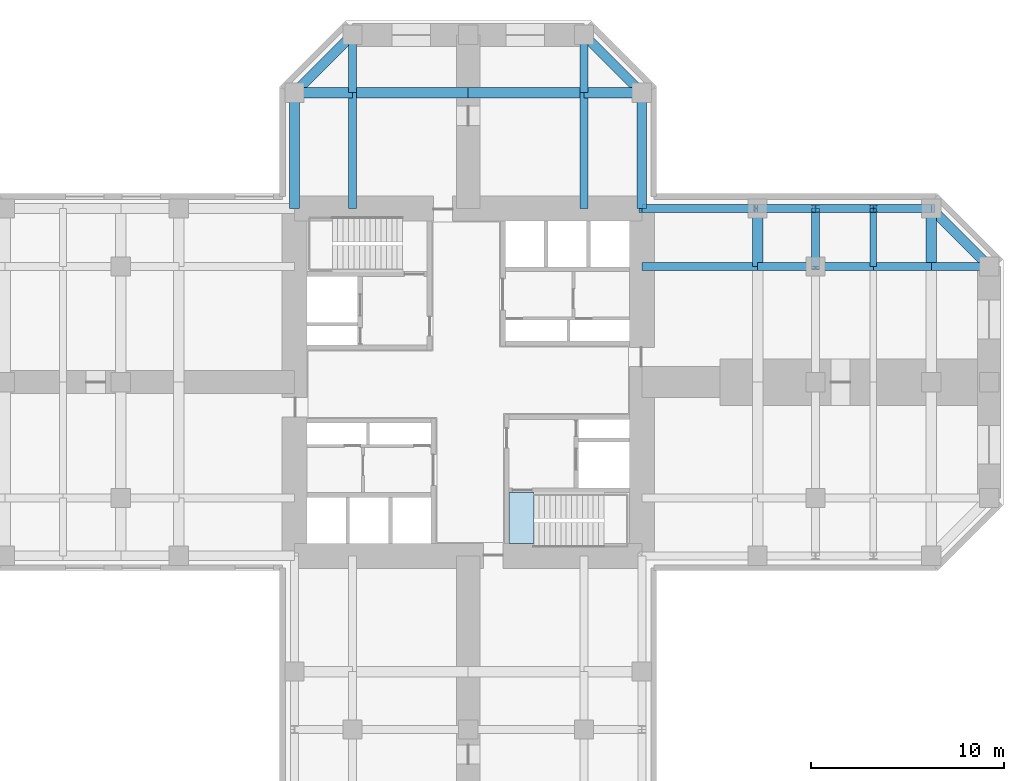
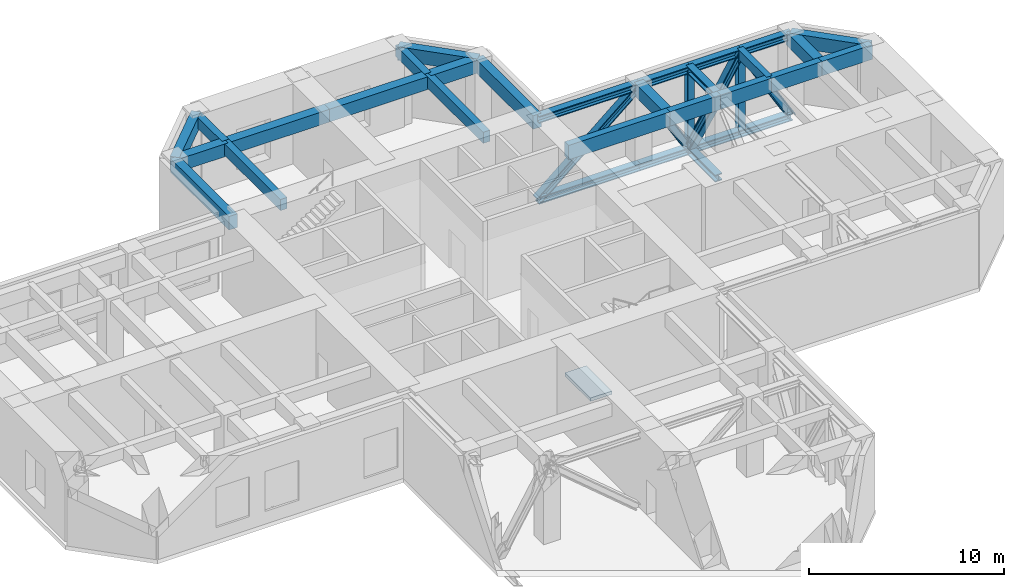
# One storey, part 4 of 8: 21 beams, 17 members, 1 slab.
"""IFC4 building model written with IfcOpenShell, lengths in metres."""

from ifc_helpers import new_model, si_unit, direction, frame, origin, origin_2d, place, context, subcontext, project, spatial, polyline, rectangle, i_section, outline, extrude, material, layer, layer_set, material_profile, profile_set, type_object, element, save


model = new_model("IFC4")

# Units and contexts
model_context = context("Model", 3, precision=1e-05, world=origin(), true_north=direction((0.0, 1.0)))
body_context = subcontext(model_context, "Body", "Model", "MODEL_VIEW")
ifc_project = project(units=[si_unit("LENGTHUNIT", "METRE"), si_unit("AREAUNIT", "SQUARE_METRE"), si_unit("VOLUMEUNIT", "CUBIC_METRE"), si_unit("PLANEANGLEUNIT", "RADIAN"), si_unit("MASSUNIT", "GRAM", prefix="KILO")], contexts=[model_context])

# Site, building, storey
site_placement = place(None, origin())
site = spatial("IfcSite", under=ifc_project, at=site_placement, CompositionType="ELEMENT")
building_placement = place(site_placement, origin())
building = spatial("IfcBuilding", under=site, at=building_placement, Name="Torre Cruceta", CompositionType="ELEMENT")
storey_placement = place(building_placement, frame((0.0, 0.0, 164.5)))
storey = spatial("IfcBuildingStorey", under=building, at=storey_placement, Name="L40", CompositionType="ELEMENT", Elevation=164.5)

# Members
ifc_material_1 = material(Name="Steel A913 Gr65", Category="steel")
ifc_material_profile_1 = material_profile(ifc_material_1, i_section(OverallWidth=0.41162109375, OverallDepth=0.434326171875, WebThickness=0.035888671875, FlangeThickness=0.057373046875, at=origin_2d()), Name="W14X311")
ifc_profile_set_1 = profile_set([ifc_material_profile_1], Name="Steel A913 Gr65")
member_type_1 = type_object("IfcMemberType", Name="BELT TRUSS CHORD 2 W14X311", PredefinedType="CHORD", material=ifc_profile_set_1)
for number, where, z_axis, x_axis, name in (
    (1, (9.0, 9.0, -0.467041015625), (1.0, 0.0, 0.0), (0.0, 1.0, 0.0), "Belt truss 2 S+B1"),
    (2, (9.0, 9.0, 4.602783203125), (1.0, 0.0, 0.0), (0.0, 1.0, 0.0), "Belt truss 2 S+T1"),
):
    element("IfcMember", number, at=place(storey_placement, frame(where, z_axis=z_axis, x_axis=x_axis)), inside=storey, type_object=member_type_1, Name=name, PredefinedType="CHORD", context=body_context, shape_type="SweptSolid", body=[
        extrude(i_section(OverallWidth=0.41162109375, OverallDepth=0.434326171875, WebThickness=0.035888671875, FlangeThickness=0.057373046875, at=origin_2d()), origin(), (0.0, 0.0, 1.0), 6.0),
    ])
for number, where, z_axis, x_axis, name in (
    (3, (15.0, 9.0, -0.467041015625), (1.0, 0.0, 0.0), (0.0, 1.0, 0.0), "Belt truss 2 S+B2"),
    (4, (15.0, 9.0, 4.602783203125), (1.0, 0.0, 0.0), (0.0, 1.0, 0.0), "Belt truss 2 S+T2"),
    (5, (18.0, 9.0, -0.467041015625), (1.0, 0.0, 0.0), (0.0, 1.0, 0.0), "Belt truss 2 S+B3"),
    (6, (18.0, 9.0, 4.602783203125), (1.0, 0.0, 0.0), (0.0, 1.0, 0.0), "Belt truss 2 S+T3"),
    (7, (21.0, 9.0, -0.467041015625), (1.0, 0.0, 0.0), (0.0, 1.0, 0.0), "Belt truss 2 S+B4"),
    (8, (21.0, 9.0, 4.602783203125), (1.0, 0.0, 0.0), (0.0, 1.0, 0.0), "Belt truss 2 S+T4"),
    (9, (18.0, 6.0, -0.467041015625), (0.0, 1.0, 0.0), (-1.0, 0.0, 0.0), "Belt truss 2 XB4"),
    (10, (18.0, 6.0, 4.602783203125), (0.0, 1.0, 0.0), (-1.0, 0.0, 0.0), "Belt truss 2 XT4"),
):
    element("IfcMember", number, at=place(storey_placement, frame(where, z_axis=z_axis, x_axis=x_axis)), inside=storey, type_object=member_type_1, Name=name, PredefinedType="CHORD", context=body_context, shape_type="SweptSolid", body=[
        extrude(i_section(OverallWidth=0.41162109375, OverallDepth=0.434326171875, WebThickness=0.035888671875, FlangeThickness=0.057373046875, at=origin_2d()), origin(), (0.0, 0.0, 1.0), 3.0),
    ])
ifc_material_2 = material(Name="Steel A913 Gr65", Category="steel")
ifc_material_profile_2 = material_profile(ifc_material_2, i_section(OverallWidth=0.41162109375, OverallDepth=0.434326171875, WebThickness=0.035888671875, FlangeThickness=0.057373046875, at=origin_2d()), Name="W14X311")
ifc_profile_set_2 = profile_set([ifc_material_profile_2], Name="Steel A913 Gr65")
member_type_2 = type_object("IfcMemberType", Name="BELT TRUSS DIAGONAL 2 W14X311", PredefinedType="BRACE", material=ifc_profile_set_2)
member_placement = place(storey_placement, frame((9.0, 9.0, -0.467041015625), z_axis=(0.763831732231, 0.0, 0.645415435853), x_axis=(0.0, 1.0, 0.0)))
element("IfcMember", 11, at=member_placement, inside=storey, type_object=member_type_2, Name="Belt truss 2 S+D1", PredefinedType="BRACE", context=body_context, shape_type="SweptSolid", body=[
    extrude(i_section(OverallWidth=0.41162109375, OverallDepth=0.434326171875, WebThickness=0.035888671875, FlangeThickness=0.057373046875, at=origin_2d()), origin(), (0.0, 0.0, 1.0), 7.855224609375),
])
for number, where, z_axis, x_axis, name in (
    (12, (18.0, 9.0, -0.467041015625), (-0.509257001606, 0.0, 0.860614493438), (0.0, -1.0, 0.0), "Belt truss 2 S+D2"),
    (13, (18.0, 9.0, -0.467041015625), (0.509257001606, 0.0, 0.860614493438), (0.0, 1.0, 0.0), "Belt truss 2 S+D3"),
    (14, (24.0, 9.0, -0.467041015625), (-0.509257001606, 0.0, 0.860614493438), (0.0, -1.0, 0.0), "Belt truss 2 S+D4"),
    (15, (18.0, 9.0, -0.467041015625), (0.0, -0.509257001606, 0.860614493438), (1.0, 0.0, 0.0), "Belt truss 2 XD4"),
):
    element("IfcMember", number, at=place(storey_placement, frame(where, z_axis=z_axis, x_axis=x_axis)), inside=storey, type_object=member_type_2, Name=name, PredefinedType="BRACE", context=body_context, shape_type="SweptSolid", body=[
        extrude(i_section(OverallWidth=0.41162109375, OverallDepth=0.434326171875, WebThickness=0.035888671875, FlangeThickness=0.057373046875, at=origin_2d()), origin(), (0.0, 0.0, 1.0), 5.890869140625),
    ])
ifc_material_3 = material(Name="Steel A913 Gr65", Category="steel")
ifc_material_profile_3 = material_profile(ifc_material_3, i_section(OverallWidth=0.393798828125, OverallDepth=0.3759765625, WebThickness=0.017333984375, FlangeThickness=0.027587890625, at=origin_2d()), Name="W14X145")
ifc_profile_set_3 = profile_set([ifc_material_profile_3], Name="Steel A913 Gr65")
member_type_3 = type_object("IfcMemberType", Name="BELT TRUSS POST 2 W14X145", PredefinedType="POST", material=ifc_profile_set_3)
for number, where, z_axis, x_axis, name in (
    (16, (18.0, 9.0, -0.467041015625), (0.0, 0.0, 1.0), (1.0, 0.0, 0.0), "Belt truss 2 S+P18"),
    (17, (21.0, 9.0, -0.467041015625), (0.0, 0.0, 1.0), (1.0, 0.0, 0.0), "Belt truss 2 S+P21"),
):
    element("IfcMember", number, at=place(storey_placement, frame(where, z_axis=z_axis, x_axis=x_axis)), inside=storey, type_object=member_type_3, Name=name, PredefinedType="POST", context=body_context, shape_type="SweptSolid", body=[
        extrude(i_section(OverallWidth=0.393798828125, OverallDepth=0.3759765625, WebThickness=0.017333984375, FlangeThickness=0.027587890625, at=origin_2d()), origin(), (0.0, 0.0, 1.0), 5.06982421875),
    ])

# Beams
ifc_material_4 = material(Name="Concrete G60 (fck 60 MPa)", Category="concrete")
ifc_material_profile_4 = material_profile(ifc_material_4, rectangle(XDim=0.39990234375, YDim=0.699951171875, at=origin_2d()), Name="RC 400X700")
ifc_profile_set_4 = profile_set([ifc_material_profile_4], Name="Concrete G60 (fck 60 MPa)")
beam_type_1 = type_object("IfcBeamType", Name="COLUMN LINE BEAM RC 400X700", PredefinedType="BEAM", material=ifc_profile_set_4)
beam_1_placement = place(storey_placement, frame((6.0, 9.0, 4.469970703125), z_axis=(0.0, 1.0, 0.0), x_axis=(-1.0, 0.0, 0.0)))
element("IfcBeam", 18, at=beam_1_placement, inside=storey, type_object=beam_type_1, Name="LB5 L40 N col- 1", PredefinedType="BEAM", context=body_context, shape_type="SweptSolid", body=[
    extrude(rectangle(XDim=0.39990234375, YDim=0.699951171875, at=origin_2d()), origin(), (0.0, 0.0, 1.0), 6.0),
])
beam_2_placement = place(storey_placement, frame((6.0, 15.0, 4.469970703125), z_axis=(0.0, 1.0, 0.0), x_axis=(-1.0, 0.0, 0.0)))
element("IfcBeam", 19, at=beam_2_placement, inside=storey, type_object=beam_type_1, Name="LB5 L40 N col- 2", PredefinedType="BEAM", context=body_context, shape_type="SweptSolid", body=[
    extrude(rectangle(XDim=0.39990234375, YDim=0.699951171875, at=origin_2d()), origin(), (0.0, 0.0, 1.0), 3.0),
])
beam_3_placement = place(storey_placement, frame((-6.0, 9.0, 4.469970703125), z_axis=(0.0, 1.0, 0.0), x_axis=(-1.0, 0.0, 0.0)))
element("IfcBeam", 20, at=beam_3_placement, inside=storey, type_object=beam_type_1, Name="LB5 L40 N col+ 1", PredefinedType="BEAM", context=body_context, shape_type="SweptSolid", body=[
    extrude(rectangle(XDim=0.39990234375, YDim=0.699951171875, at=origin_2d()), origin(), (0.0, 0.0, 1.0), 6.0),
])
beam_4_placement = place(storey_placement, frame((-6.0, 15.0, 4.469970703125), z_axis=(0.0, 1.0, 0.0), x_axis=(-1.0, 0.0, 0.0)))
element("IfcBeam", 21, at=beam_4_placement, inside=storey, type_object=beam_type_1, Name="LB5 L40 N col+ 2", PredefinedType="BEAM", context=body_context, shape_type="SweptSolid", body=[
    extrude(rectangle(XDim=0.39990234375, YDim=0.699951171875, at=origin_2d()), origin(), (0.0, 0.0, 1.0), 3.0),
])
ifc_material_5 = material(Name="Concrete G60 (fck 60 MPa)", Category="concrete")
ifc_material_profile_5 = material_profile(ifc_material_5, rectangle(XDim=0.39990234375, YDim=0.89990234375, at=origin_2d()), Name="RC 400X900")
ifc_profile_set_5 = profile_set([ifc_material_profile_5], Name="Concrete G60 (fck 60 MPa)")
beam_type_2 = type_object("IfcBeamType", Name="COLUMN LINE BEAM RC 400X900", PredefinedType="BEAM", material=ifc_profile_set_5)
beam_5_placement = place(storey_placement, frame((9.0, 6.0, 4.3701171875), z_axis=(1.0, 0.0, 0.0), x_axis=(0.0, 1.0, 0.0)))
element("IfcBeam", 22, at=beam_5_placement, inside=storey, type_object=beam_type_2, Name="LB6 L40 E col+ 1", PredefinedType="BEAM", context=body_context, shape_type="SweptSolid", body=[
    extrude(rectangle(XDim=0.39990234375, YDim=0.89990234375, at=origin_2d()), origin(), (0.0, 0.0, 1.0), 6.0),
])
for number, where, z_axis, x_axis, name in (
    (23, (15.0, 6.0, 4.3701171875), (1.0, 0.0, 0.0), (0.0, 1.0, 0.0), "LB6 L40 E col+ 2"),
    (24, (18.0, 6.0, 4.3701171875), (1.0, 0.0, 0.0), (0.0, 1.0, 0.0), "LB6 L40 E col+ 3"),
    (25, (21.0, 6.0, 4.3701171875), (1.0, 0.0, 0.0), (0.0, 1.0, 0.0), "LB6 L40 E col+ 4"),
    (26, (24.0, 6.0, 4.3701171875), (1.0, 0.0, 0.0), (0.0, 1.0, 0.0), "LB6 L40 E col+ 5"),
):
    element("IfcBeam", number, at=place(storey_placement, frame(where, z_axis=z_axis, x_axis=x_axis)), inside=storey, type_object=beam_type_2, Name=name, PredefinedType="BEAM", context=body_context, shape_type="SweptSolid", body=[
        extrude(rectangle(XDim=0.39990234375, YDim=0.89990234375, at=origin_2d()), origin(), (0.0, 0.0, 1.0), 3.0),
    ])
ifc_material_6 = material(Name="Concrete G60 (fck 60 MPa)", Category="concrete")
ifc_material_profile_6 = material_profile(ifc_material_6, rectangle(XDim=0.550048828125, YDim=0.800048828125, at=origin_2d()), Name="RC 550X800")
ifc_profile_set_6 = profile_set([ifc_material_profile_6], Name="Concrete G60 (fck 60 MPa)")
beam_type_3 = type_object("IfcBeamType", Name="CROSS BEAM RC 550X800", PredefinedType="BEAM", material=ifc_profile_set_6)
beam_6_placement = place(storey_placement, frame((9.0, 15.0, 4.419921875), z_axis=(-1.0, 0.0, 0.0), x_axis=(0.0, -1.0, 0.0)))
element("IfcBeam", 27, at=beam_6_placement, inside=storey, type_object=beam_type_3, Name="GB5 L40 N cross15 1", PredefinedType="BEAM", context=body_context, shape_type="SweptSolid", body=[
    extrude(rectangle(XDim=0.550048828125, YDim=0.800048828125, at=origin_2d()), origin(), (0.0, 0.0, 1.0), 3.0),
])
for number, where, z_axis, x_axis, name in (
    (28, (6.0, 15.0, 4.419921875), (-1.0, 0.0, 0.0), (0.0, -1.0, 0.0), "GB5 L40 N cross15 2"),
    (29, (0.0, 15.0, 4.419921875), (-1.0, 0.0, 0.0), (0.0, -1.0, 0.0), "GB5 L40 N cross15 3"),
):
    element("IfcBeam", number, at=place(storey_placement, frame(where, z_axis=z_axis, x_axis=x_axis)), inside=storey, type_object=beam_type_3, Name=name, PredefinedType="BEAM", context=body_context, shape_type="SweptSolid", body=[
        extrude(rectangle(XDim=0.550048828125, YDim=0.800048828125, at=origin_2d()), origin(), (0.0, 0.0, 1.0), 6.0),
    ])
for number, where, z_axis, x_axis, name in (
    (30, (-6.0, 15.0, 4.419921875), (-1.0, 0.0, 0.0), (0.0, -1.0, 0.0), "GB5 L40 N cross15 4"),
    (31, (15.0, 6.0, 4.419921875), (0.0, 1.0, 0.0), (-1.0, 0.0, 0.0), "GB5 L40 E cross15 4"),
    (32, (24.0, 6.0, 4.419921875), (0.0, 1.0, 0.0), (-1.0, 0.0, 0.0), "GB5 L40 E cross24 4"),
):
    element("IfcBeam", number, at=place(storey_placement, frame(where, z_axis=z_axis, x_axis=x_axis)), inside=storey, type_object=beam_type_3, Name=name, PredefinedType="BEAM", context=body_context, shape_type="SweptSolid", body=[
        extrude(rectangle(XDim=0.550048828125, YDim=0.800048828125, at=origin_2d()), origin(), (0.0, 0.0, 1.0), 3.0),
    ])
ifc_material_7 = material(Name="Concrete G60 (fck 60 MPa)", Category="concrete")
ifc_material_profile_7 = material_profile(ifc_material_7, rectangle(XDim=0.35009765625, YDim=0.60009765625, at=origin_2d()), Name="RC 350X600")
ifc_profile_set_7 = profile_set([ifc_material_profile_7], Name="Concrete G60 (fck 60 MPa)")
beam_type_4 = type_object("IfcBeamType", Name="SECONDARY BEAM RC 350X600", PredefinedType="JOIST", material=ifc_profile_set_7)
beam_7_placement = place(storey_placement, frame((21.0, 6.0, 4.52001953125), z_axis=(0.0, 1.0, 0.0), x_axis=(-1.0, 0.0, 0.0)))
element("IfcBeam", 33, at=beam_7_placement, inside=storey, type_object=beam_type_4, Name="JB5 L40 E sec21 4", PredefinedType="JOIST", context=body_context, shape_type="SweptSolid", body=[
    extrude(rectangle(XDim=0.35009765625, YDim=0.60009765625, at=origin_2d()), origin(), (0.0, 0.0, 1.0), 3.0),
])
ifc_material_8 = material(Name="Concrete G60 (fck 60 MPa)", Category="concrete")
ifc_material_profile_8 = material_profile(ifc_material_8, rectangle(XDim=0.5, YDim=0.85009765625, at=origin_2d()), Name="RC 500X850")
ifc_profile_set_8 = profile_set([ifc_material_profile_8], Name="Concrete G60 (fck 60 MPa)")
beam_type_5 = type_object("IfcBeamType", Name="SPANDREL BEAM RC 500X850", PredefinedType="SPANDREL", material=ifc_profile_set_8)
beam_8_placement = place(storey_placement, frame((9.0, 9.0, 4.39501953125), z_axis=(0.0, 1.0, 0.0), x_axis=(-1.0, 0.0, 0.0)))
element("IfcBeam", 34, at=beam_8_placement, inside=storey, type_object=beam_type_5, Name="SB5 L40 N side- 1", PredefinedType="SPANDREL", context=body_context, shape_type="SweptSolid", body=[
    extrude(rectangle(XDim=0.5, YDim=0.85009765625, at=origin_2d()), origin(), (0.0, 0.0, 1.0), 6.0),
])
beam_9_placement = place(storey_placement, frame((9.0, 15.0, 4.39501953125), z_axis=(-0.707106781187, 0.707106781187, 0.0), x_axis=(-0.707106781187, -0.707106781187, 0.0)))
element("IfcBeam", 35, at=beam_9_placement, inside=storey, type_object=beam_type_5, Name="SB5 L40 N side- 2", PredefinedType="SPANDREL", context=body_context, shape_type="SweptSolid", body=[
    extrude(rectangle(XDim=0.5, YDim=0.85009765625, at=origin_2d()), origin(), (0.0, 0.0, 1.0), 4.24267578125),
])
beam_10_placement = place(storey_placement, frame((-9.0, 9.0, 4.39501953125), z_axis=(0.0, 1.0, 0.0), x_axis=(-1.0, 0.0, 0.0)))
element("IfcBeam", 36, at=beam_10_placement, inside=storey, type_object=beam_type_5, Name="SB5 L40 N side+ 1", PredefinedType="SPANDREL", context=body_context, shape_type="SweptSolid", body=[
    extrude(rectangle(XDim=0.5, YDim=0.85009765625, at=origin_2d()), origin(), (0.0, 0.0, 1.0), 6.0),
])
for number, where, z_axis, x_axis, name in (
    (37, (-9.0, 15.0, 4.39501953125), (0.707106781187, 0.707106781187, 0.0), (-0.707106781187, 0.707106781187, 0.0), "SB5 L40 N side+ 2"),
    (38, (24.0, 9.0, 4.39501953125), (0.707106781187, -0.707106781187, 0.0), (0.707106781187, 0.707106781187, 0.0), "SB5 L40 E side+ 5"),
):
    element("IfcBeam", number, at=place(storey_placement, frame(where, z_axis=z_axis, x_axis=x_axis)), inside=storey, type_object=beam_type_5, Name=name, PredefinedType="SPANDREL", context=body_context, shape_type="SweptSolid", body=[
        extrude(rectangle(XDim=0.5, YDim=0.85009765625, at=origin_2d()), origin(), (0.0, 0.0, 1.0), 4.24267578125),
    ])

# Slab
ifc_material_9 = material(Name="Concrete G30 (fck 30 MPa)", Category="concrete")
ifc_layer = layer(ifc_material_9, 0.199951171875)
ifc_layer_set = layer_set([ifc_layer], Name="Concrete G30 (fck 30 MPa)")
slab_type = type_object("IfcSlabType", Name="STAIR LANDING 200", PredefinedType="LANDING", material=ifc_layer_set)
slab_placement = place(storey_placement, frame((0.0, 0.0, -0.199951171875)))
element("IfcSlab", 39, at=slab_placement, inside=storey, type_object=slab_type, Name="Stair ST2 floor landing L40", PredefinedType="LANDING", context=body_context, shape_type="SweptSolid", body=[
    extrude(outline(polyline([(2.125, -8.35009765625), (2.125, -5.72509765625), (3.39990234375, -5.72509765625), (3.39990234375, -8.35009765625), (2.125, -8.35009765625)])), origin(), (0.0, 0.0, 1.0), 0.199951171875),
])

save(model, "model.ifc")
